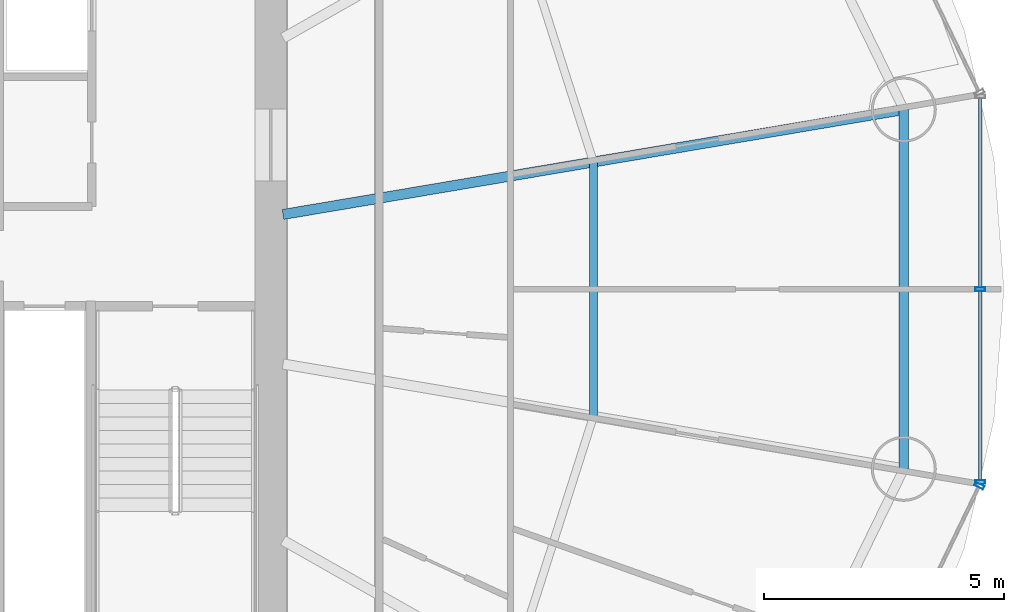
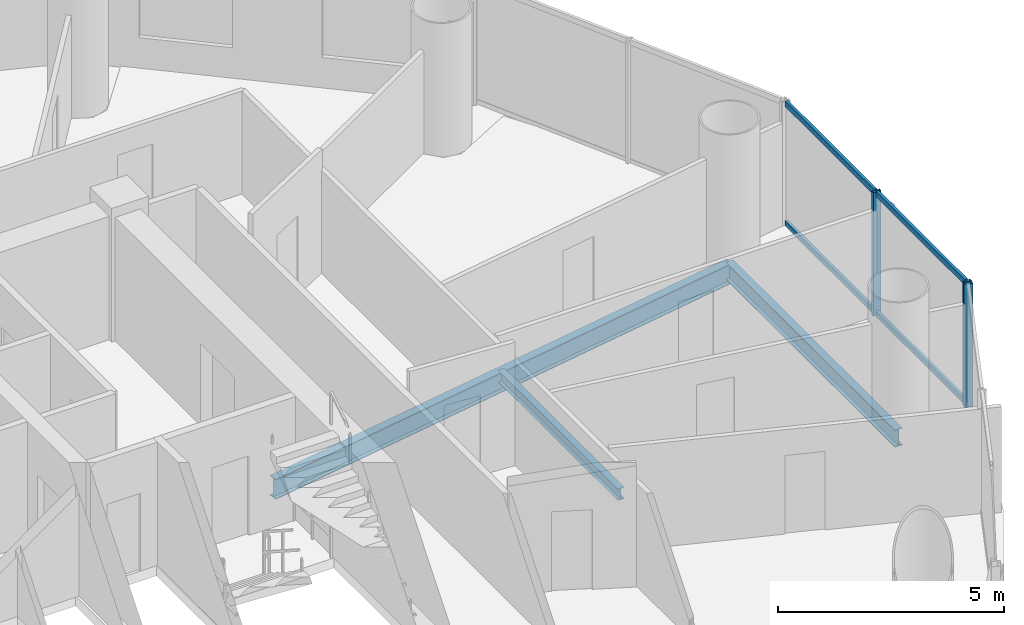
# One storey, part 11 of 26: 7 members, 3 beams, 2 elements without a shape of their own.
"""IFC4 building model written with IfcOpenShell, lengths in metres."""

import ifcopenshell
import ifcopenshell.guid

model = None  # the IFC model being written
_history = None  # IfcOwnerHistory: only IFC2X3 demands one
_inside = {}  # id of a spatial element -> (the spatial element, [elements in it])
_under = {}  # id of a project, library or spatial element -> (it, [spatial elements below it])
_declared = {}  # id of a project -> (the project, [libraries it declares])
_typed = {}  # id of a type object -> (the type object, [elements of that type])
_made_of = {}  # id of a material, layer set ... -> (it, [elements and type objects made of it])


def new_model(schema):
    """Start an empty IFC model of exactly this schema.

    Asked for "IFC4X3", IfcOpenShell would pick the latest addendum, in which some entities
    have other attributes; the version numbers below select the first issue.
    IFC2X3 requires an IfcOwnerHistory on every rooted entity: one is made here for all.
    """
    global model, _history
    if schema == "IFC4X3":
        model = ifcopenshell.file(schema_version=(4, 3, 0, 0))
    else:
        model = ifcopenshell.file(schema=schema)
    _inside.clear()
    _under.clear()
    _declared.clear()
    _typed.clear()
    _made_of.clear()
    _history = None
    if model.schema == "IFC2X3":
        org = make("IfcOrganization", Name="unknown")
        user = make(
            "IfcPersonAndOrganization",
            ThePerson=make("IfcPerson", FamilyName="unknown"),
            TheOrganization=org,
        )
        app = make(
            "IfcApplication",
            ApplicationDeveloper=org,
            Version="unknown",
            ApplicationFullName="unknown",
            ApplicationIdentifier="unknown",
        )
        _history = make(
            "IfcOwnerHistory",
            OwningUser=user,
            OwningApplication=app,
            ChangeAction="ADDED",
            CreationDate=0,
        )
    return model


def make(cls, **values):
    """One entity of the class cls with the attributes given. An attribute that is None is left unset."""
    return model.create_entity(
        cls, **{name: value for name, value in values.items() if value is not None}
    )


def rooted(cls, **values):
    """An entity with a GlobalId (a new one), such as an element, a storey or a relation."""
    return make(cls, GlobalId=ifcopenshell.guid.new(), OwnerHistory=_history, **values)


def si_unit(unit_type, name, prefix=None):
    """IfcSIUnit, for example si_unit("LENGTHUNIT", "METRE", prefix="MILLI")."""
    return make("IfcSIUnit", UnitType=unit_type, Prefix=prefix, Name=name)


def assignment(units):
    """IfcUnitAssignment: the units of a project."""
    return None if units is None else make("IfcUnitAssignment", Units=units)


def point(xyz):
    """IfcCartesianPoint."""
    return None if xyz is None else make("IfcCartesianPoint", Coordinates=xyz)


def direction(xyz):
    """IfcDirection."""
    return None if xyz is None else make("IfcDirection", DirectionRatios=xyz)


def frame(location, z_axis=None, x_axis=None):
    """IfcAxis2Placement3D, a coordinate frame: its origin and axes. An axis left out is left unset."""
    return make(
        "IfcAxis2Placement3D",
        Location=point(location),
        Axis=direction(z_axis),
        RefDirection=direction(x_axis),
    )


def frame_2d(location, x_axis=None):
    """IfcAxis2Placement2D, a coordinate frame in the plane: its origin and x axis."""
    return make(
        "IfcAxis2Placement2D", Location=point(location), RefDirection=direction(x_axis)
    )


def origin():
    """The frame at (0, 0, 0) with its axes left unset."""
    return frame((0.0, 0.0, 0.0))


def origin_2d():
    """The frame at (0, 0) in the plane with its x axis left unset."""
    return frame_2d((0.0, 0.0))


def place(relative_to, where):
    """IfcLocalPlacement: puts the frame where relative to a parent placement (None: the world)."""
    return make(
        "IfcLocalPlacement", PlacementRelTo=relative_to, RelativePlacement=where
    )


def context(
    kind, dimensions, precision=None, world=None, true_north=None, identifier=None
):
    """IfcGeometricRepresentationContext, for example the 3D "Model" context."""
    return make(
        "IfcGeometricRepresentationContext",
        ContextIdentifier=identifier,
        ContextType=kind,
        CoordinateSpaceDimension=dimensions,
        Precision=precision,
        WorldCoordinateSystem=world,
        TrueNorth=true_north,
    )


def subcontext(parent, identifier, kind, view, scale=None):
    """IfcGeometricRepresentationSubContext, for example "Body" below "Model"."""
    return make(
        "IfcGeometricRepresentationSubContext",
        ContextIdentifier=identifier,
        ContextType=kind,
        ParentContext=parent,
        TargetScale=scale,
        TargetView=view,
    )


def project(units=None, contexts=None):
    """IfcProject with its units and contexts."""
    return rooted(
        "IfcProject",
        Name="project",
        RepresentationContexts=contexts,
        UnitsInContext=assignment(units),
    )


def spatial(cls, under=None, at=None, **own):
    """A site, building, storey or space (cls), placed at a placement, below another one or the project."""
    s = rooted(cls, ObjectPlacement=at, **own)
    if under is not None:
        _under.setdefault(under.id(), (under, []))[1].append(s)
    return s


def profile(cls, at=None, kind="AREA", **sizes):
    """A parametric profile (cls). Its sizes go by their IFC names, for example OverallWidth=200.0."""
    return make(cls, ProfileType=kind, Position=at, **sizes)


def hollow_rectangle(**sizes):
    """IfcRectangleHollowProfileDef."""
    return profile("IfcRectangleHollowProfileDef", **sizes)


def i_section(**sizes):
    """IfcIShapeProfileDef."""
    return profile("IfcIShapeProfileDef", **sizes)


def extrude(swept, where, along, depth):
    """IfcExtrudedAreaSolid: the profile swept, set in the frame where, extruded along a direction by depth."""
    return make(
        "IfcExtrudedAreaSolid",
        SweptArea=swept,
        Position=where,
        ExtrudedDirection=direction(along),
        Depth=depth,
    )


def shape(context_of_items, identifier, shape_type, items):
    """IfcShapeRepresentation: the items that make up one representation, for example the "Body"."""
    return make(
        "IfcShapeRepresentation",
        ContextOfItems=context_of_items,
        RepresentationIdentifier=identifier,
        RepresentationType=shape_type,
        Items=items,
    )


def source(mapping_origin, context_of_items, identifier, shape_type, items):
    """IfcRepresentationMap: a shape defined once, which mapped items show again and again."""
    return make(
        "IfcRepresentationMap",
        MappingOrigin=mapping_origin,
        MappedRepresentation=shape(context_of_items, identifier, shape_type, items),
    )


def transform(
    local_origin,
    x_axis=None,
    y_axis=None,
    z_axis=None,
    scale=None,
    scale2=None,
    scale3=None,
    uniform=True,
):
    """IfcCartesianTransformationOperator3D, or its non-uniform kind. x_axis, y_axis, z_axis: its Axis1, 2, 3."""
    if uniform:
        return make(
            "IfcCartesianTransformationOperator3D",
            Axis1=direction(x_axis),
            Axis2=direction(y_axis),
            LocalOrigin=point(local_origin),
            Scale=scale,
            Axis3=direction(z_axis),
        )
    return make(
        "IfcCartesianTransformationOperator3DnonUniform",
        Axis1=direction(x_axis),
        Axis2=direction(y_axis),
        LocalOrigin=point(local_origin),
        Scale=scale,
        Axis3=direction(z_axis),
        Scale2=scale2,
        Scale3=scale3,
    )


def mapped(mapping_source, mapping_target):
    """IfcMappedItem: shows the shape of a source again, moved by a transform."""
    return make(
        "IfcMappedItem", MappingSource=mapping_source, MappingTarget=mapping_target
    )


def material(Name=None, Category=None):
    """IfcMaterial."""
    return make("IfcMaterial", Name=Name, Category=Category)


def material_profile(
    of_material, cross_section, Name=None, Category=None, Priority=None
):
    """IfcMaterialProfile: a cross section and its material."""
    return make(
        "IfcMaterialProfile",
        Name=Name,
        Material=of_material,
        Profile=cross_section,
        Priority=Priority,
        Category=Category,
    )


def profile_set(profiles, Name=None, composite=None):
    """IfcMaterialProfileSet."""
    return make(
        "IfcMaterialProfileSet",
        Name=Name,
        MaterialProfiles=profiles,
        CompositeProfile=composite,
    )


def made_of(thing, what):
    """Note that an element or type object is made of a material, layer set ...; save() writes the relation."""
    if what is not None:
        _made_of.setdefault(what.id(), (what, []))[1].append(thing)
    return thing


def type_object(cls, material=None, **own):
    """A type object (cls), such as IfcWallType, which elements share."""
    return made_of(rooted(cls, **own), material)


def element(
    cls,
    number,
    at=None,
    inside=None,
    cuts=None,
    type_object=None,
    material=None,
    context=None,
    identifier="Body",
    shape_type=None,
    held_by="IfcProductDefinitionShape",
    body=None,
    shapes=None,
    **own,
):
    """One element of the class cls, such as IfcWall. Its Tag is "e" and its number.

    at: its placement. inside: the storey or other place that contains it. cuts: it is an
    opening in that element (IfcRelVoidsElement). A single representation is given by context,
    identifier, shape_type and body (its items); several are given by shapes. held_by: the class
    of the entity that holds the representations. save() writes the other relations.
    """
    e = rooted(cls, Tag="e%d" % number, ObjectPlacement=at, **own)
    if body is not None:
        shapes = [shape(context, identifier, shape_type, body)]
    if shapes is not None:
        e.Representation = make(held_by, Representations=shapes)
    if inside is not None:
        _inside.setdefault(inside.id(), (inside, []))[1].append(e)
    if cuts is not None:
        rooted(
            "IfcRelVoidsElement", RelatingBuildingElement=cuts, RelatedOpeningElement=e
        )
    if type_object is not None:
        _typed.setdefault(type_object.id(), (type_object, []))[1].append(e)
    return made_of(e, material)


def aggregate(whole, parts):
    """IfcRelAggregates: a whole, such as a stair, and the parts it consists of."""
    return rooted("IfcRelAggregates", RelatingObject=whole, RelatedObjects=parts)


def save(model, path):
    """Write the relations noted so far, then the file.

    IfcRelAggregates (storeys below a building ...), IfcRelContainedInSpatialStructure (elements
    in a storey), IfcRelDefinesByType, IfcRelAssociatesMaterial and IfcRelDeclares: one each for
    every whole, place, type object, material and project.
    """
    for whole, parts in _under.values():
        aggregate(whole, parts)
    for where, things in _inside.values():
        rooted(
            "IfcRelContainedInSpatialStructure",
            RelatedElements=things,
            RelatingStructure=where,
        )
    for kind, things in _typed.values():
        rooted("IfcRelDefinesByType", RelatedObjects=things, RelatingType=kind)
    for what, things in _made_of.values():
        rooted("IfcRelAssociatesMaterial", RelatedObjects=things, RelatingMaterial=what)
    for by, libraries in _declared.values():
        rooted("IfcRelDeclares", RelatingContext=by, RelatedDefinitions=libraries)
    model.write(path)


model = new_model("IFC4")

# Units and contexts
model_context = context("Model", 3, precision=1e-05, world=origin(), true_north=direction((-0.2419218956, 0.970295726276)))
body_context = subcontext(model_context, "Body", "Model", "MODEL_VIEW")
ifc_project = project(units=[si_unit("LENGTHUNIT", "METRE"), si_unit("AREAUNIT", "SQUARE_METRE"), si_unit("VOLUMEUNIT", "CUBIC_METRE"), si_unit("PLANEANGLEUNIT", "RADIAN"), si_unit("MASSUNIT", "GRAM", prefix="KILO")], contexts=[model_context])

# Site, building, storey
site_placement = place(None, origin())
site = spatial("IfcSite", under=ifc_project, at=site_placement, CompositionType="ELEMENT")
building_placement = place(site_placement, origin())
building = spatial("IfcBuilding", under=site, at=building_placement, Name="Cobrevalo Terracotta Tower", CompositionType="ELEMENT")
storey_placement = place(building_placement, frame((0.0, 0.0, 175.0)))
storey = spatial("IfcBuildingStorey", under=building, at=storey_placement, Name="L46", CompositionType="ELEMENT", Elevation=175.0)

# Beams
ifc_material_1 = material(Name="Steel S355", Category="steel")
ifc_material_profile_1 = material_profile(ifc_material_1, i_section(OverallWidth=0.2109375, OverallDepth=0.5390625, WebThickness=0.01171875, FlangeThickness=0.018798828125, at=origin_2d()), Name="W 530x109")
ifc_profile_set_1 = profile_set([ifc_material_profile_1], Name="Steel S355")
beam_type_1 = type_object("IfcBeamType", Name="Structural Beam W 530x109 (Steel S355)", PredefinedType="BEAM", material=ifc_profile_set_1)
beam_1_placement = place(storey_placement, frame((60.11669921875, 30.535888671875, -0.53955078125), z_axis=(-0.986032794282, -0.166551279191, 0.0), x_axis=(0.166551279191, -0.986032794282, 0.0)))
element("IfcBeam", 1, at=beam_1_placement, inside=storey, type_object=beam_type_1, Name="L46 radial floor girder 01", PredefinedType="BEAM", context=body_context, shape_type="SweptSolid", body=[
    extrude(i_section(OverallWidth=0.2109375, OverallDepth=0.5390625, WebThickness=0.01171875, FlangeThickness=0.018798828125, at=origin_2d()), origin(), (0.0, 0.0, 1.0), 13.094482421875),
])
ifc_material_profile_2 = material_profile(ifc_material_1, i_section(OverallWidth=0.1650390625, OverallDepth=0.31005859375, WebThickness=0.005859375, FlangeThickness=0.009765625, at=origin_2d()), Name="W 310x38.7")
ifc_profile_set_2 = profile_set([ifc_material_profile_2], Name="Steel S355")
beam_type_2 = type_object("IfcBeamType", Name="Structural Joist W 310x38.7 (Steel S355)", PredefinedType="JOIST", material=ifc_profile_set_2)
beam_2_placement = place(storey_placement, frame((53.660888671875, 24.154541015625, -0.425048828125), z_axis=(0.0, 1.0, 0.0), x_axis=(-1.0, 0.0, 0.0)))
element("IfcBeam", 2, at=beam_2_placement, inside=storey, type_object=beam_type_2, Name="L46 circumferential secondary floor joist 16", PredefinedType="JOIST", context=body_context, shape_type="SweptSolid", body=[
    extrude(i_section(OverallWidth=0.1650390625, OverallDepth=0.31005859375, WebThickness=0.005859375, FlangeThickness=0.009765625, at=origin_2d()), origin(), (0.0, 0.0, 1.0), 5.291015625),
])
ifc_material_profile_3 = material_profile(ifc_material_1, i_section(OverallWidth=0.194091796875, OverallDepth=0.468994140625, WebThickness=0.011474609375, FlangeThickness=0.0205078125, at=origin_2d()), Name="W 460x106")
ifc_profile_set_3 = profile_set([ifc_material_profile_3], Name="Steel S355")
beam_type_3 = type_object("IfcBeamType", Name="Structural Spandrel W 460x106 (Steel S355)", PredefinedType="SPANDREL", material=ifc_profile_set_3)
beam_3_placement = place(storey_placement, frame((60.11669921875, 23.06396484375, -0.50439453125), z_axis=(0.0, 1.0, 0.0), x_axis=(-1.0, 0.0, 0.0)))
element("IfcBeam", 3, at=beam_3_placement, inside=storey, type_object=beam_type_3, Name="L46 perimeter ring spandrel 16", PredefinedType="SPANDREL", context=body_context, shape_type="SweptSolid", body=[
    extrude(i_section(OverallWidth=0.194091796875, OverallDepth=0.468994140625, WebThickness=0.011474609375, FlangeThickness=0.0205078125, at=origin_2d()), origin(), (0.0, 0.0, 1.0), 7.471923828125),
])

# Curtain wall, member
ifc_material_2 = material(Name="Anodized aluminium", Category="aluminium")
curtain_wall_type = type_object("IfcCurtainWallType", Name="Mid-tower high-wind unitised curtain wall CW-U2", PredefinedType="NOTDEFINED", material=ifc_material_2)
curtain_wall_1_placement = place(storey_placement, origin())
curtain_wall_1 = element("IfcCurtainWall", 4, at=curtain_wall_1_placement, inside=storey, type_object=curtain_wall_type, Name="L46 curtain wall CW-L46-S15", PredefinedType="NOTDEFINED")
ifc_material_profile_4 = material_profile(ifc_material_2, hollow_rectangle(XDim=0.074951171875, YDim=0.199951171875, WallThickness=0.0048828125, at=origin_2d()), Name="CWM 75x200")
ifc_profile_set_4 = profile_set([ifc_material_profile_4], Name="Anodized aluminium")
member_type_1 = type_object("IfcMemberType", Name="Lower/mid tower unitised mullion 75x200", PredefinedType="MULLION", material=ifc_profile_set_4)
shared_shape_1 = source(origin(), body_context, "Body", "SweptSolid", [
    extrude(hollow_rectangle(XDim=0.074951171875, YDim=0.199951171875, WallThickness=0.0048828125, at=origin_2d()), origin(), (0.0, 0.0, 1.0), 3.330078125),
])
member_1_placement = place(storey_placement, frame((61.688232421875, 22.7119140625, 0.0), z_axis=(0.0, 0.0, 1.0), x_axis=(0.434209440271, 0.900811945957, 0.0)))
member_1 = element("IfcMember", 5, at=member_1_placement, type_object=member_type_1, Name="CW-L46-S15 vertical mullion 03", PredefinedType="MULLION", context=body_context, shape_type="MappedRepresentation", body=[
    mapped(shared_shape_1, transform((0.0, 0.0, 0.0), scale=1.0)),
])
aggregate(curtain_wall_1, [member_1])

# Curtain wall, members
curtain_wall_2_placement = place(storey_placement, origin())
curtain_wall_2 = element("IfcCurtainWall", 6, at=curtain_wall_2_placement, inside=storey, type_object=curtain_wall_type, Name="L46 curtain wall CW-L46-S16", PredefinedType="NOTDEFINED")
member_2_placement = place(storey_placement, frame((61.70556640625, 22.7880859375, 0.0), z_axis=(0.0, 0.0, 1.0), x_axis=(0.0, 1.0, 0.0)))
member_2 = element("IfcMember", 7, at=member_2_placement, type_object=member_type_1, Name="CW-L46-S16 vertical mullion 01", PredefinedType="MULLION", context=body_context, shape_type="MappedRepresentation", body=[
    mapped(shared_shape_1, transform((0.0, 0.0, 0.0), scale=1.0)),
])
member_3_placement = place(storey_placement, frame((61.70556640625, 26.800048828125, 0.0), z_axis=(0.0, 0.0, 1.0), x_axis=(0.0, 1.0, 0.0)))
member_3 = element("IfcMember", 8, at=member_3_placement, type_object=member_type_1, Name="CW-L46-S16 vertical mullion 02", PredefinedType="MULLION", context=body_context, shape_type="MappedRepresentation", body=[
    mapped(shared_shape_1, transform((0.0, 0.0, 0.0), scale=1.0)),
])
ifc_material_profile_5 = material_profile(ifc_material_2, hollow_rectangle(XDim=0.074951171875, YDim=0.14990234375, WallThickness=0.00439453125, at=origin_2d()), Name="CWT 75x150")
ifc_profile_set_5 = profile_set([ifc_material_profile_5], Name="Anodized aluminium")
member_type_2 = type_object("IfcMemberType", Name="Tower unitised aluminium transom 75x150", PredefinedType="USERDEFINED", material=ifc_profile_set_5)
shared_shape_2 = source(origin(), body_context, "Body", "SweptSolid", [
    extrude(hollow_rectangle(XDim=0.074951171875, YDim=0.14990234375, WallThickness=0.00439453125, at=origin_2d()), origin(), (0.0, 0.0, 1.0), 3.931884765625),
])
member_4_placement = place(storey_placement, frame((61.70556640625, 26.840087890625, 0.050048828125), z_axis=(0.0, 1.0, 0.0), x_axis=(-1.0, 0.0, 0.0)))
member_4 = element("IfcMember", 9, at=member_4_placement, type_object=member_type_2, Name="CW-L46-S16 transom B02-T1", ObjectType="TRANSOM", PredefinedType="USERDEFINED", context=body_context, shape_type="MappedRepresentation", body=[
    mapped(shared_shape_2, transform((0.0, 0.0, 0.0), scale=1.0)),
])
member_5_placement = place(storey_placement, frame((61.70556640625, 26.840087890625, 3.280029296875), z_axis=(0.0, 1.0, 0.0), x_axis=(-1.0, 0.0, 0.0)))
member_5 = element("IfcMember", 10, at=member_5_placement, type_object=member_type_2, Name="CW-L46-S16 transom B02-T2", ObjectType="TRANSOM", PredefinedType="USERDEFINED", context=body_context, shape_type="MappedRepresentation", body=[
    mapped(shared_shape_2, transform((0.0, 0.0, 0.0), scale=1.0)),
])
shared_shape_3 = source(origin(), body_context, "Body", "SweptSolid", [
    extrude(hollow_rectangle(XDim=0.074951171875, YDim=0.14990234375, WallThickness=0.00439453125, at=origin_2d()), origin(), (0.0, 0.0, 1.0), 3.93212890625),
])
member_6_placement = place(storey_placement, frame((61.70556640625, 22.827880859375, 0.050048828125), z_axis=(0.0, 1.0, 0.0), x_axis=(-1.0, 0.0, 0.0)))
member_6 = element("IfcMember", 11, at=member_6_placement, type_object=member_type_2, Name="CW-L46-S16 transom B01-T1", ObjectType="TRANSOM", PredefinedType="USERDEFINED", context=body_context, shape_type="MappedRepresentation", body=[
    mapped(shared_shape_3, transform((0.0, 0.0, 0.0), scale=1.0)),
])
member_7_placement = place(storey_placement, frame((61.70556640625, 22.827880859375, 3.280029296875), z_axis=(0.0, 1.0, 0.0), x_axis=(-1.0, 0.0, 0.0)))
member_7 = element("IfcMember", 12, at=member_7_placement, type_object=member_type_2, Name="CW-L46-S16 transom B01-T2", ObjectType="TRANSOM", PredefinedType="USERDEFINED", context=body_context, shape_type="MappedRepresentation", body=[
    mapped(shared_shape_3, transform((0.0, 0.0, 0.0), scale=1.0)),
])
aggregate(curtain_wall_2, [member_2, member_3, member_6, member_7, member_4, member_5])

save(model, "model.ifc")
